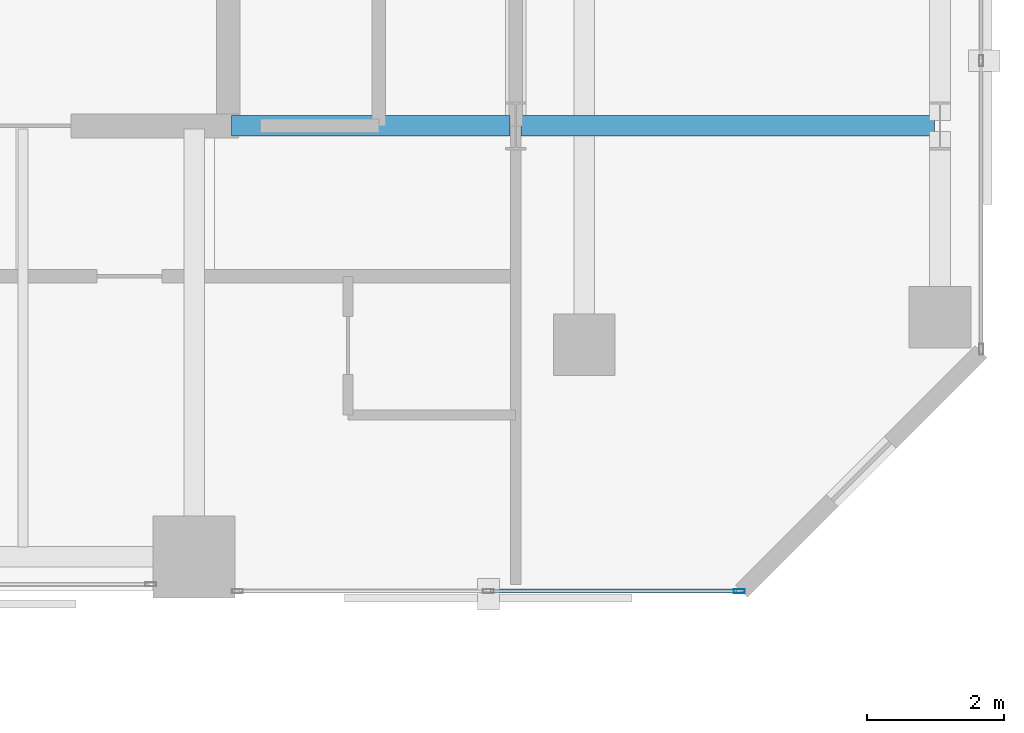
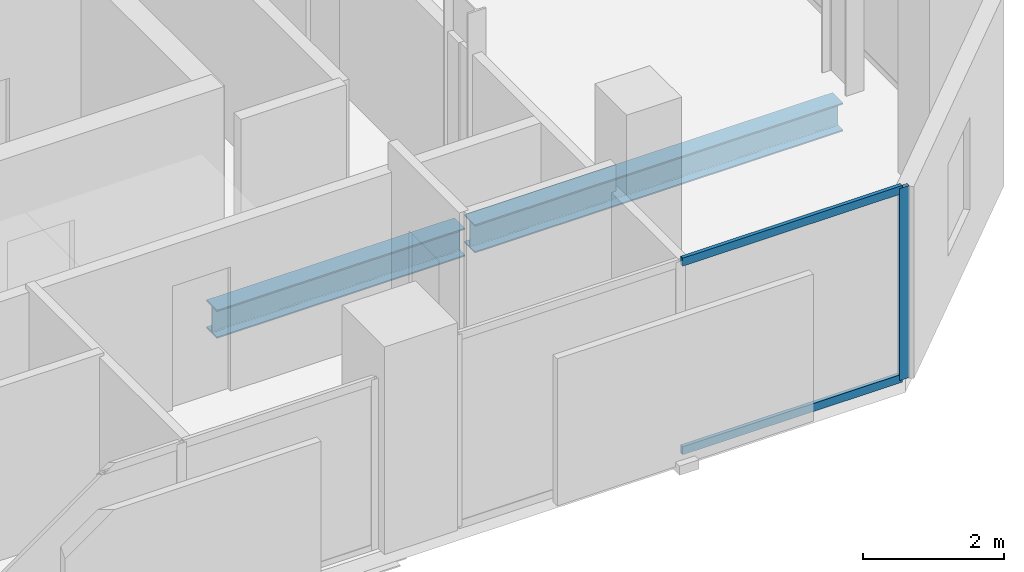
# One storey, part 15 of 33: 3 members, 2 beams, 1 element without a shape of its own.
"""IFC4 building model written with IfcOpenShell, lengths in metres."""

import ifcopenshell
import ifcopenshell.guid

model = None  # the IFC model being written
_history = None  # IfcOwnerHistory: only IFC2X3 demands one
_inside = {}  # id of a spatial element -> (the spatial element, [elements in it])
_under = {}  # id of a project, library or spatial element -> (it, [spatial elements below it])
_declared = {}  # id of a project -> (the project, [libraries it declares])
_typed = {}  # id of a type object -> (the type object, [elements of that type])
_made_of = {}  # id of a material, layer set ... -> (it, [elements and type objects made of it])


def new_model(schema):
    """Start an empty IFC model of exactly this schema.

    Asked for "IFC4X3", IfcOpenShell would pick the latest addendum, in which some entities
    have other attributes; the version numbers below select the first issue.
    IFC2X3 requires an IfcOwnerHistory on every rooted entity: one is made here for all.
    """
    global model, _history
    if schema == "IFC4X3":
        model = ifcopenshell.file(schema_version=(4, 3, 0, 0))
    else:
        model = ifcopenshell.file(schema=schema)
    _inside.clear()
    _under.clear()
    _declared.clear()
    _typed.clear()
    _made_of.clear()
    _history = None
    if model.schema == "IFC2X3":
        org = make("IfcOrganization", Name="unknown")
        user = make(
            "IfcPersonAndOrganization",
            ThePerson=make("IfcPerson", FamilyName="unknown"),
            TheOrganization=org,
        )
        app = make(
            "IfcApplication",
            ApplicationDeveloper=org,
            Version="unknown",
            ApplicationFullName="unknown",
            ApplicationIdentifier="unknown",
        )
        _history = make(
            "IfcOwnerHistory",
            OwningUser=user,
            OwningApplication=app,
            ChangeAction="ADDED",
            CreationDate=0,
        )
    return model


def make(cls, **values):
    """One entity of the class cls with the attributes given. An attribute that is None is left unset."""
    return model.create_entity(
        cls, **{name: value for name, value in values.items() if value is not None}
    )


def rooted(cls, **values):
    """An entity with a GlobalId (a new one), such as an element, a storey or a relation."""
    return make(cls, GlobalId=ifcopenshell.guid.new(), OwnerHistory=_history, **values)


def si_unit(unit_type, name, prefix=None):
    """IfcSIUnit, for example si_unit("LENGTHUNIT", "METRE", prefix="MILLI")."""
    return make("IfcSIUnit", UnitType=unit_type, Prefix=prefix, Name=name)


def assignment(units):
    """IfcUnitAssignment: the units of a project."""
    return None if units is None else make("IfcUnitAssignment", Units=units)


def point(xyz):
    """IfcCartesianPoint."""
    return None if xyz is None else make("IfcCartesianPoint", Coordinates=xyz)


def direction(xyz):
    """IfcDirection."""
    return None if xyz is None else make("IfcDirection", DirectionRatios=xyz)


def frame(location, z_axis=None, x_axis=None):
    """IfcAxis2Placement3D, a coordinate frame: its origin and axes. An axis left out is left unset."""
    return make(
        "IfcAxis2Placement3D",
        Location=point(location),
        Axis=direction(z_axis),
        RefDirection=direction(x_axis),
    )


def frame_2d(location, x_axis=None):
    """IfcAxis2Placement2D, a coordinate frame in the plane: its origin and x axis."""
    return make(
        "IfcAxis2Placement2D", Location=point(location), RefDirection=direction(x_axis)
    )


def origin():
    """The frame at (0, 0, 0) with its axes left unset."""
    return frame((0.0, 0.0, 0.0))


def origin_2d():
    """The frame at (0, 0) in the plane with its x axis left unset."""
    return frame_2d((0.0, 0.0))


def place(relative_to, where):
    """IfcLocalPlacement: puts the frame where relative to a parent placement (None: the world)."""
    return make(
        "IfcLocalPlacement", PlacementRelTo=relative_to, RelativePlacement=where
    )


def context(
    kind, dimensions, precision=None, world=None, true_north=None, identifier=None
):
    """IfcGeometricRepresentationContext, for example the 3D "Model" context."""
    return make(
        "IfcGeometricRepresentationContext",
        ContextIdentifier=identifier,
        ContextType=kind,
        CoordinateSpaceDimension=dimensions,
        Precision=precision,
        WorldCoordinateSystem=world,
        TrueNorth=true_north,
    )


def subcontext(parent, identifier, kind, view, scale=None):
    """IfcGeometricRepresentationSubContext, for example "Body" below "Model"."""
    return make(
        "IfcGeometricRepresentationSubContext",
        ContextIdentifier=identifier,
        ContextType=kind,
        ParentContext=parent,
        TargetScale=scale,
        TargetView=view,
    )


def project(units=None, contexts=None):
    """IfcProject with its units and contexts."""
    return rooted(
        "IfcProject",
        Name="project",
        RepresentationContexts=contexts,
        UnitsInContext=assignment(units),
    )


def spatial(cls, under=None, at=None, **own):
    """A site, building, storey or space (cls), placed at a placement, below another one or the project."""
    s = rooted(cls, ObjectPlacement=at, **own)
    if under is not None:
        _under.setdefault(under.id(), (under, []))[1].append(s)
    return s


def profile(cls, at=None, kind="AREA", **sizes):
    """A parametric profile (cls). Its sizes go by their IFC names, for example OverallWidth=200.0."""
    return make(cls, ProfileType=kind, Position=at, **sizes)


def hollow_rectangle(**sizes):
    """IfcRectangleHollowProfileDef."""
    return profile("IfcRectangleHollowProfileDef", **sizes)


def i_section(**sizes):
    """IfcIShapeProfileDef."""
    return profile("IfcIShapeProfileDef", **sizes)


def extrude(swept, where, along, depth):
    """IfcExtrudedAreaSolid: the profile swept, set in the frame where, extruded along a direction by depth."""
    return make(
        "IfcExtrudedAreaSolid",
        SweptArea=swept,
        Position=where,
        ExtrudedDirection=direction(along),
        Depth=depth,
    )


def shape(context_of_items, identifier, shape_type, items):
    """IfcShapeRepresentation: the items that make up one representation, for example the "Body"."""
    return make(
        "IfcShapeRepresentation",
        ContextOfItems=context_of_items,
        RepresentationIdentifier=identifier,
        RepresentationType=shape_type,
        Items=items,
    )


def material(Name=None, Category=None):
    """IfcMaterial."""
    return make("IfcMaterial", Name=Name, Category=Category)


def layer(
    of_material, thickness, ventilated=None, Name=None, Category=None, Priority=None
):
    """IfcMaterialLayer: one layer of a wall or slab, of a material (None: an air gap)."""
    return make(
        "IfcMaterialLayer",
        Material=of_material,
        LayerThickness=thickness,
        IsVentilated=ventilated,
        Name=Name,
        Category=Category,
        Priority=Priority,
    )


def layer_set(layers, Name=None):
    """IfcMaterialLayerSet."""
    return make("IfcMaterialLayerSet", MaterialLayers=layers, LayerSetName=Name)


def material_profile(
    of_material, cross_section, Name=None, Category=None, Priority=None
):
    """IfcMaterialProfile: a cross section and its material."""
    return make(
        "IfcMaterialProfile",
        Name=Name,
        Material=of_material,
        Profile=cross_section,
        Priority=Priority,
        Category=Category,
    )


def profile_set(profiles, Name=None, composite=None):
    """IfcMaterialProfileSet."""
    return make(
        "IfcMaterialProfileSet",
        Name=Name,
        MaterialProfiles=profiles,
        CompositeProfile=composite,
    )


def made_of(thing, what):
    """Note that an element or type object is made of a material, layer set ...; save() writes the relation."""
    if what is not None:
        _made_of.setdefault(what.id(), (what, []))[1].append(thing)
    return thing


def type_object(cls, material=None, **own):
    """A type object (cls), such as IfcWallType, which elements share."""
    return made_of(rooted(cls, **own), material)


def element(
    cls,
    number,
    at=None,
    inside=None,
    cuts=None,
    type_object=None,
    material=None,
    context=None,
    identifier="Body",
    shape_type=None,
    held_by="IfcProductDefinitionShape",
    body=None,
    shapes=None,
    **own,
):
    """One element of the class cls, such as IfcWall. Its Tag is "e" and its number.

    at: its placement. inside: the storey or other place that contains it. cuts: it is an
    opening in that element (IfcRelVoidsElement). A single representation is given by context,
    identifier, shape_type and body (its items); several are given by shapes. held_by: the class
    of the entity that holds the representations. save() writes the other relations.
    """
    e = rooted(cls, Tag="e%d" % number, ObjectPlacement=at, **own)
    if body is not None:
        shapes = [shape(context, identifier, shape_type, body)]
    if shapes is not None:
        e.Representation = make(held_by, Representations=shapes)
    if inside is not None:
        _inside.setdefault(inside.id(), (inside, []))[1].append(e)
    if cuts is not None:
        rooted(
            "IfcRelVoidsElement", RelatingBuildingElement=cuts, RelatedOpeningElement=e
        )
    if type_object is not None:
        _typed.setdefault(type_object.id(), (type_object, []))[1].append(e)
    return made_of(e, material)


def aggregate(whole, parts):
    """IfcRelAggregates: a whole, such as a stair, and the parts it consists of."""
    return rooted("IfcRelAggregates", RelatingObject=whole, RelatedObjects=parts)


def save(model, path):
    """Write the relations noted so far, then the file.

    IfcRelAggregates (storeys below a building ...), IfcRelContainedInSpatialStructure (elements
    in a storey), IfcRelDefinesByType, IfcRelAssociatesMaterial and IfcRelDeclares: one each for
    every whole, place, type object, material and project.
    """
    for whole, parts in _under.values():
        aggregate(whole, parts)
    for where, things in _inside.values():
        rooted(
            "IfcRelContainedInSpatialStructure",
            RelatedElements=things,
            RelatingStructure=where,
        )
    for kind, things in _typed.values():
        rooted("IfcRelDefinesByType", RelatedObjects=things, RelatingType=kind)
    for what, things in _made_of.values():
        rooted("IfcRelAssociatesMaterial", RelatedObjects=things, RelatingMaterial=what)
    for by, libraries in _declared.values():
        rooted("IfcRelDeclares", RelatingContext=by, RelatedDefinitions=libraries)
    model.write(path)


model = new_model("IFC4")

# Units and contexts
model_context = context("Model", 3, precision=1e-05, world=origin(), true_north=direction((0.0, 1.0)))
body_context = subcontext(model_context, "Body", "Model", "MODEL_VIEW")
ifc_project = project(units=[si_unit("LENGTHUNIT", "METRE"), si_unit("AREAUNIT", "SQUARE_METRE"), si_unit("VOLUMEUNIT", "CUBIC_METRE"), si_unit("PLANEANGLEUNIT", "RADIAN"), si_unit("MASSUNIT", "GRAM", prefix="KILO")], contexts=[model_context])

# Site, building, storey
site_placement = place(None, origin())
site = spatial("IfcSite", under=ifc_project, at=site_placement, CompositionType="ELEMENT")
building_placement = place(site_placement, origin())
building = spatial("IfcBuilding", under=site, at=building_placement, Name="Catumbela Crestline Tower", CompositionType="ELEMENT")
storey_placement = place(building_placement, frame((0.0, 0.0, 100.8)))
storey = spatial("IfcBuildingStorey", under=building, at=storey_placement, Name="L25", CompositionType="ELEMENT", Elevation=100.8)

# Beams
ifc_material_1 = material(Name="Structural steel S355J2", Category="steel")
ifc_material_profile_1 = material_profile(ifc_material_1, i_section(OverallWidth=0.3, OverallDepth=0.49, WebThickness=0.012, FlangeThickness=0.023, FilletRadius=0.027, at=origin_2d()), Name="HEA 500")
ifc_profile_set_1 = profile_set([ifc_material_profile_1], Name="Structural steel S355J2")
beam_type = type_object("IfcBeamType", Name="BG-HEA500", PredefinedType="BEAM", material=ifc_profile_set_1)
beam_1_placement = place(storey_placement, frame((40.05, 30.8, -0.505), z_axis=(1.0, 0.0, 0.0), x_axis=(0.0, 1.0, 0.0)))
element("IfcBeam", 1, at=beam_1_placement, inside=storey, type_object=beam_type, Name="L25 Beam BM-L25-M10", PredefinedType="BEAM", context=body_context, shape_type="SweptSolid", body=[
    extrude(i_section(OverallWidth=0.3, OverallDepth=0.49, WebThickness=0.012, FlangeThickness=0.023, FilletRadius=0.027, at=origin_2d()), origin(), (0.0, 0.0, 1.0), 4.07),
])
beam_2_placement = place(storey_placement, frame((44.28, 30.8, -0.505), z_axis=(1.0, 0.0, 0.0), x_axis=(0.0, 1.0, 0.0)))
element("IfcBeam", 2, at=beam_2_placement, inside=storey, type_object=beam_type, Name="L25 Beam BM-L25-M11", PredefinedType="BEAM", context=body_context, shape_type="SweptSolid", body=[
    extrude(i_section(OverallWidth=0.3, OverallDepth=0.49, WebThickness=0.012, FlangeThickness=0.023, FilletRadius=0.027, at=origin_2d()), origin(), (0.0, 0.0, 1.0), 6.04),
])

# Curtain wall, members
ifc_material_2 = material(Name="Aluminium alloy AW-6060-T66", Category="aluminium")
ifc_layer = layer(ifc_material_2, 0.18, Name="Aluminium alloy AW-6060-T66")
ifc_layer_set = layer_set([ifc_layer], Name="Aluminium alloy AW-6060-T66")
curtain_wall_type = type_object("IfcCurtainWallType", Name="CWU-Z2", PredefinedType="USERDEFINED", material=ifc_layer_set)
curtain_wall_placement = place(storey_placement, origin())
curtain_wall = element("IfcCurtainWall", 3, at=curtain_wall_placement, inside=storey, type_object=curtain_wall_type, Name="L25 Unitised Curtain Wall CW-L25-E3S3", ObjectType="UNITISED", PredefinedType="USERDEFINED")
ifc_material_profile_2 = material_profile(ifc_material_2, hollow_rectangle(XDim=0.06, YDim=0.16, WallThickness=0.004, at=origin_2d()), Name="ALU 160x60x4")
ifc_profile_set_2 = profile_set([ifc_material_profile_2], Name="Aluminium alloy AW-6060-T66")
member_type_1 = type_object("IfcMemberType", Name="MUL-160X60", PredefinedType="MULLION", material=ifc_profile_set_2)
member_1_placement = place(storey_placement, frame((47.4675, 24.0, 0.0), z_axis=(0.0, 0.0, 1.0), x_axis=(0.0, 1.0, 0.0)))
member_1 = element("IfcMember", 4, at=member_1_placement, type_object=member_type_1, Name="CWU-Z2 mullion 3", PredefinedType="MULLION", context=body_context, shape_type="SweptSolid", body=[
    extrude(hollow_rectangle(XDim=0.06, YDim=0.16, WallThickness=0.004, at=origin_2d()), origin(), (0.0, 0.0, 1.0), 3.33),
])
ifc_material_profile_3 = material_profile(ifc_material_2, hollow_rectangle(XDim=0.06, YDim=0.14, WallThickness=0.004, at=origin_2d()), Name="ALU 140x60x4")
ifc_profile_set_3 = profile_set([ifc_material_profile_3], Name="Aluminium alloy AW-6060-T66")
member_type_2 = type_object("IfcMemberType", Name="TRN-140X60", PredefinedType="USERDEFINED", material=ifc_profile_set_3)
member_2_placement = place(storey_placement, frame((43.8325, 24.0, 0.03), z_axis=(1.0, 0.0, 0.0), x_axis=(0.0, 1.0, 0.0)))
member_2 = element("IfcMember", 5, at=member_2_placement, type_object=member_type_2, Name="CWU-Z2 transom 2.1", ObjectType="TRANSOM", PredefinedType="USERDEFINED", context=body_context, shape_type="SweptSolid", body=[
    extrude(hollow_rectangle(XDim=0.06, YDim=0.14, WallThickness=0.004, at=origin_2d()), origin(), (0.0, 0.0, 1.0), 3.6025),
])
member_3_placement = place(storey_placement, frame((43.8325, 24.0, 3.3), z_axis=(1.0, 0.0, 0.0), x_axis=(0.0, 1.0, 0.0)))
member_3 = element("IfcMember", 6, at=member_3_placement, type_object=member_type_2, Name="CWU-Z2 transom 2.2", ObjectType="TRANSOM", PredefinedType="USERDEFINED", context=body_context, shape_type="SweptSolid", body=[
    extrude(hollow_rectangle(XDim=0.06, YDim=0.14, WallThickness=0.004, at=origin_2d()), origin(), (0.0, 0.0, 1.0), 3.6025),
])
aggregate(curtain_wall, [member_1, member_2, member_3])

save(model, "model.ifc")
